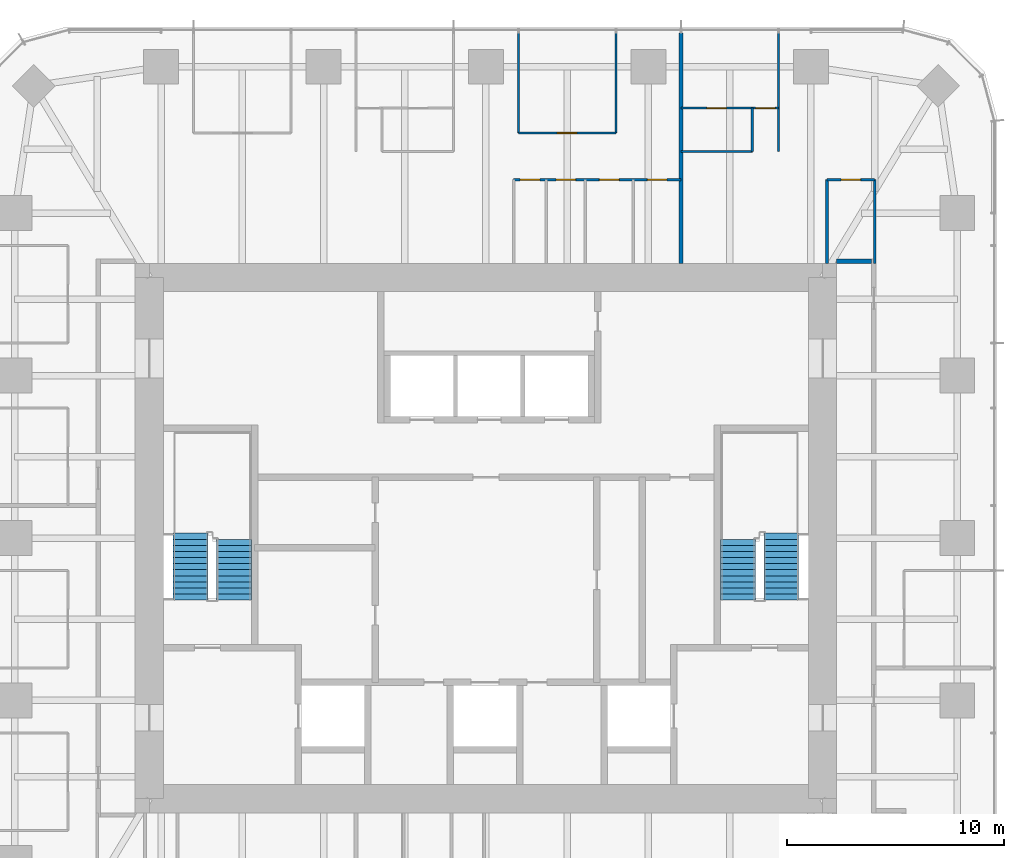
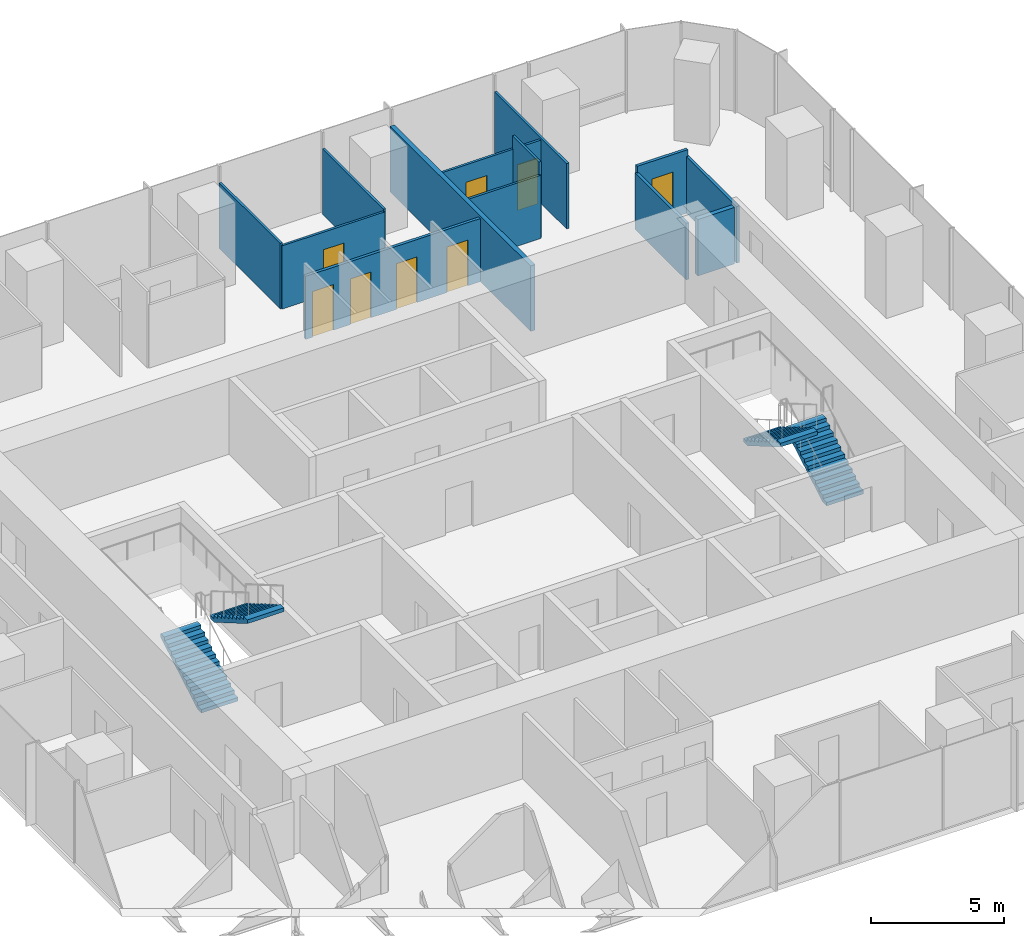
# One storey, part 11 of 12: 13 walls, 8 doors, 4 stair flights, 8 openings, 2 elements without a shape of their own.
"""IFC4 building model written with IfcOpenShell, lengths in metres."""

from ifc_helpers import new_model, si_unit, direction, frame, frame_2d, origin, place, context, subcontext, project, spatial, polyline, rectangle, outline, extrude, material, layer, layer_set, type_object, element, fill, aggregate, save


model = new_model("IFC4")

# Units and contexts
model_context = context("Model", 3, precision=1e-05, world=origin(), true_north=direction((0.0, 1.0)))
body_context = subcontext(model_context, "Body", "Model", "MODEL_VIEW")
ifc_project = project(units=[si_unit("LENGTHUNIT", "METRE"), si_unit("AREAUNIT", "SQUARE_METRE"), si_unit("VOLUMEUNIT", "CUBIC_METRE"), si_unit("PLANEANGLEUNIT", "RADIAN"), si_unit("MASSUNIT", "GRAM", prefix="KILO")], contexts=[model_context])

# Site, building, storey
site_placement = place(None, origin())
site = spatial("IfcSite", under=ifc_project, at=site_placement, CompositionType="ELEMENT")
building_placement = place(site_placement, origin())
building = spatial("IfcBuilding", under=site, at=building_placement, Name="Khuree Lantern Residences", CompositionType="ELEMENT")
storey_placement = place(building_placement, frame((0.0, 0.0, 315.75)))
storey = spatial("IfcBuildingStorey", under=building, at=storey_placement, Name="L79", CompositionType="ELEMENT", Elevation=315.75)

# Wall, opening, door
ifc_material_1 = material(Name="Moisture-resistant gypsum board on steel studs", Category="steel")
ifc_layer_1 = layer(ifc_material_1, 0.125)
ifc_layer_set_1 = layer_set([ifc_layer_1], Name="BATHROOM WALL BTW125")
wall_type_1 = type_object("IfcWallType", Name="BATHROOM WALL BTW125", PredefinedType="PARTITIONING", material=ifc_layer_set_1)
wall_1_placement = place(storey_placement, frame((17.89990234375, 16.496337890625, 0.0), z_axis=(0.0, 0.0, 1.0), x_axis=(-1.0, 0.0, 0.0)))
wall_1 = element("IfcWall", 1, at=wall_1_placement, inside=storey, type_object=wall_type_1, Name="L79 BATHROOM WALL 01", PredefinedType="PARTITIONING", context=body_context, shape_type="SweptSolid", body=[
    extrude(rectangle(XDim=2.199951171875, YDim=0.125, at=frame_2d((1.10009765625, 0.0))), origin(), (0.0, 0.0, 1.0), 2.909912109375),
])
opening_1_placement = place(wall_1_placement, frame((0.64990234375, 0.0, 0.0)))
opening_1 = element("IfcOpeningElement", 2, at=opening_1_placement, cuts=wall_1, Name="Opening 79-024", PredefinedType="OPENING", context=body_context, shape_type="SweptSolid", body=[
    extrude(rectangle(XDim=0.89990234375, YDim=2.10009765625, at=frame_2d((0.449951171875, 1.050048828125))), frame((0.0, 0.072509765625, 0.0), z_axis=(0.0, -1.0, 0.0), x_axis=(1.0, 0.0, 0.0)), (0.0, 0.0, 1.0), 0.14501953125),
])
ifc_material_2 = material(Name="Timber door leaf in hardwood frame", Category="wood")
door_type_1 = type_object("IfcDoorType", Name="BATHROOM DOOR 900X2100", OperationType="SINGLE_SWING_LEFT", PredefinedType="DOOR", material=ifc_material_2)
door_1_placement = place(opening_1_placement, origin())
door_1 = element("IfcDoor", 3, at=door_1_placement, inside=storey, type_object=door_type_1, Name="Bathroom door 79-024", OperationType="SINGLE_SWING_LEFT", OverallHeight=2.10009765625, OverallWidth=0.89990234375, PredefinedType="DOOR", context=body_context, shape_type="SweptSolid", body=[
    extrude(rectangle(XDim=0.89990234375, YDim=2.10009765625, at=frame_2d((0.449951171875, 1.050048828125))), frame((0.0, 0.02490234375, 0.0), z_axis=(0.0, -1.0, 0.0), x_axis=(1.0, 0.0, 0.0)), (0.0, 0.0, 1.0), 0.050048828125),
])
fill(opening_1, door_1)

# Walls
for number, where, z_axis, x_axis, name in (
    (4, (17.89990234375, 12.64990234375, 0.0), (0.0, 0.0, 1.0), (0.0, 1.0, 0.0), "L79 BATHROOM WALL 01"),
    (5, (15.699951171875, 12.64990234375, 0.0), (0.0, 0.0, 1.0), (0.0, 1.0, 0.0), "L79 BATHROOM WALL 01"),
):
    element("IfcWall", number, at=place(storey_placement, frame(where, z_axis=z_axis, x_axis=x_axis)), inside=storey, type_object=wall_type_1, Name=name, PredefinedType="PARTITIONING", context=body_context, shape_type="SweptSolid", body=[
        extrude(rectangle(XDim=3.846435546875, YDim=0.125, at=frame_2d((1.92333984375, 0.0))), origin(), (0.0, 0.0, 1.0), 2.60009765625),
    ])

# Wall, openings, doors
wall_2_placement = place(storey_placement, frame((8.97607421875, 16.496337890625, 0.0), z_axis=(0.0, 0.0, 1.0), x_axis=(-1.0, 0.0, 0.0)))
wall_2 = element("IfcWall", 6, at=wall_2_placement, inside=storey, type_object=wall_type_1, Name="L79 BATHROOM WALL 02", PredefinedType="PARTITIONING", context=body_context, shape_type="SweptSolid", body=[
    extrude(rectangle(XDim=7.7001953125, YDim=0.125, at=frame_2d((3.85009765625, 0.0))), origin(), (0.0, 0.0, 1.0), 2.89990234375),
])
opening_2_placement = place(wall_2_placement, frame((0.64990234375, 0.0, 0.0)))
opening_2 = element("IfcOpeningElement", 7, at=opening_2_placement, cuts=wall_2, Name="Opening 79-032", PredefinedType="OPENING", context=body_context, shape_type="SweptSolid", body=[
    extrude(rectangle(XDim=0.89990234375, YDim=2.10009765625, at=frame_2d((0.449951171875, 1.050048828125))), frame((0.0, 0.072509765625, 0.0), z_axis=(0.0, -1.0, 0.0), x_axis=(1.0, 0.0, 0.0)), (0.0, 0.0, 1.0), 0.14501953125),
])
opening_3_placement = place(wall_2_placement, frame((2.85009765625, 0.0, 0.0)))
opening_3 = element("IfcOpeningElement", 8, at=opening_3_placement, cuts=wall_2, Name="Opening 79-033", PredefinedType="OPENING", context=body_context, shape_type="SweptSolid", body=[
    extrude(rectangle(XDim=0.89990234375, YDim=2.10009765625, at=frame_2d((0.449951171875, 1.050048828125))), frame((0.0, 0.072509765625, 0.0), z_axis=(0.0, -1.0, 0.0), x_axis=(1.0, 0.0, 0.0)), (0.0, 0.0, 1.0), 0.14501953125),
])
opening_4_placement = place(wall_2_placement, frame((4.85009765625, 0.0, 0.0)))
opening_4 = element("IfcOpeningElement", 9, at=opening_4_placement, cuts=wall_2, Name="Opening 79-034", PredefinedType="OPENING", context=body_context, shape_type="SweptSolid", body=[
    extrude(rectangle(XDim=0.89990234375, YDim=2.10009765625, at=frame_2d((0.449951171875, 1.050048828125))), frame((0.0, 0.072509765625, 0.0), z_axis=(0.0, -1.0, 0.0), x_axis=(1.0, 0.0, 0.0)), (0.0, 0.0, 1.0), 0.14501953125),
])
opening_5_placement = place(wall_2_placement, frame((6.5, 0.0, 0.0)))
opening_5 = element("IfcOpeningElement", 10, at=opening_5_placement, cuts=wall_2, Name="Opening 79-035", PredefinedType="OPENING", context=body_context, shape_type="SweptSolid", body=[
    extrude(rectangle(XDim=0.89990234375, YDim=2.10009765625, at=frame_2d((0.449951171875, 1.050048828125))), frame((0.0, 0.072509765625, 0.0), z_axis=(0.0, -1.0, 0.0), x_axis=(1.0, 0.0, 0.0)), (0.0, 0.0, 1.0), 0.14501953125),
])
door_2_placement = place(opening_2_placement, origin())
door_2 = element("IfcDoor", 11, at=door_2_placement, inside=storey, type_object=door_type_1, Name="Bathroom door 79-032", OperationType="SINGLE_SWING_LEFT", OverallHeight=2.10009765625, OverallWidth=0.89990234375, PredefinedType="DOOR", context=body_context, shape_type="SweptSolid", body=[
    extrude(rectangle(XDim=0.89990234375, YDim=2.10009765625, at=frame_2d((0.449951171875, 1.050048828125))), frame((0.0, 0.02490234375, 0.0), z_axis=(0.0, -1.0, 0.0), x_axis=(1.0, 0.0, 0.0)), (0.0, 0.0, 1.0), 0.050048828125),
])
fill(opening_2, door_2)
door_3_placement = place(opening_3_placement, origin())
door_3 = element("IfcDoor", 12, at=door_3_placement, inside=storey, type_object=door_type_1, Name="Bathroom door 79-033", OperationType="SINGLE_SWING_LEFT", OverallHeight=2.10009765625, OverallWidth=0.89990234375, PredefinedType="DOOR", context=body_context, shape_type="SweptSolid", body=[
    extrude(rectangle(XDim=0.89990234375, YDim=2.10009765625, at=frame_2d((0.449951171875, 1.050048828125))), frame((0.0, 0.02490234375, 0.0), z_axis=(0.0, -1.0, 0.0), x_axis=(1.0, 0.0, 0.0)), (0.0, 0.0, 1.0), 0.050048828125),
])
fill(opening_3, door_3)
door_type_2 = type_object("IfcDoorType", Name="DOOR 900X2100", OperationType="SINGLE_SWING_LEFT", PredefinedType="DOOR", material=ifc_material_2)
door_4_placement = place(opening_4_placement, origin())
door_4 = element("IfcDoor", 13, at=door_4_placement, inside=storey, type_object=door_type_2, Name="Store door 79-034", OperationType="SINGLE_SWING_LEFT", OverallHeight=2.10009765625, OverallWidth=0.89990234375, PredefinedType="DOOR", context=body_context, shape_type="SweptSolid", body=[
    extrude(rectangle(XDim=0.89990234375, YDim=2.10009765625, at=frame_2d((0.449951171875, 1.050048828125))), frame((0.0, 0.02490234375, 0.0), z_axis=(0.0, -1.0, 0.0), x_axis=(1.0, 0.0, 0.0)), (0.0, 0.0, 1.0), 0.050048828125),
])
fill(opening_4, door_4)
door_type_3 = type_object("IfcDoorType", Name="WC DOOR 900X2100", OperationType="SINGLE_SWING_LEFT", PredefinedType="DOOR", material=ifc_material_2)
door_5_placement = place(opening_5_placement, origin())
door_5 = element("IfcDoor", 14, at=door_5_placement, inside=storey, type_object=door_type_3, Name="WC door 79-035", OperationType="SINGLE_SWING_LEFT", OverallHeight=2.10009765625, OverallWidth=0.89990234375, PredefinedType="DOOR", context=body_context, shape_type="SweptSolid", body=[
    extrude(rectangle(XDim=0.89990234375, YDim=2.10009765625, at=frame_2d((0.449951171875, 1.050048828125))), frame((0.0, 0.02490234375, 0.0), z_axis=(0.0, -1.0, 0.0), x_axis=(1.0, 0.0, 0.0)), (0.0, 0.0, 1.0), 0.050048828125),
])
fill(opening_5, door_5)

# Walls
ifc_material_3 = material(Name="Gypsum board on steel studs", Category="steel")
ifc_layer_2 = layer(ifc_material_3, 0.199951171875)
ifc_layer_set_2 = layer_set([ifc_layer_2], Name="CORRIDOR WALL CRW200 EI 60")
wall_type_2 = type_object("IfcWallType", Name="CORRIDOR WALL CRW200 EI 60", PredefinedType="PARTITIONING", material=ifc_layer_set_2)
wall_3_placement = place(storey_placement, frame((16.14990234375, 12.75, 0.0), z_axis=(0.0, 0.0, 1.0), x_axis=(1.0, 0.0, 0.0)))
element("IfcWall", 15, at=wall_3_placement, inside=storey, type_object=wall_type_2, Name="L79 EAST CORRIDOR NORTH END WALL", PredefinedType="PARTITIONING", context=body_context, shape_type="SweptSolid", body=[
    extrude(rectangle(XDim=1.60009765625, YDim=0.199951171875, at=frame_2d((0.800048828125, 0.0))), origin(), (0.0, 0.0, 1.0), 2.60009765625),
])
ifc_layer_3 = layer(ifc_material_3, 0.199951171875)
ifc_layer_set_3 = layer_set([ifc_layer_3], Name="DEMISING WALL DMW200 EI 90")
wall_type_3 = type_object("IfcWallType", Name="DEMISING WALL DMW200 EI 90", PredefinedType="PARTITIONING", material=ifc_layer_set_3)
wall_4_placement = place(storey_placement, frame((8.97607421875, 12.64990234375, 0.0), z_axis=(0.0, 0.0, 1.0), x_axis=(0.0, 1.0, 0.0)))
element("IfcWall", 16, at=wall_4_placement, inside=storey, type_object=wall_type_3, Name="L79 DEMISING WALL 02", PredefinedType="PARTITIONING", context=body_context, shape_type="SweptSolid", body=[
    extrude(rectangle(XDim=10.60009765625, YDim=0.199951171875, at=frame_2d((5.300048828125, 0.0))), origin(), (0.0, 0.0, 1.0), 3.010009765625),
])
ifc_layer_4 = layer(ifc_material_3, 0.10009765625)
ifc_layer_set_4 = layer_set([ifc_layer_4], Name="PARTITION PT100")
wall_type_4 = type_object("IfcWallType", Name="PARTITION PT100", PredefinedType="PARTITIONING", material=ifc_layer_set_4)
wall_5_placement = place(storey_placement, frame((13.464111328125, 17.79638671875, 0.0), z_axis=(0.0, 0.0, 1.0), x_axis=(0.0, 1.0, 0.0)))
element("IfcWall", 17, at=wall_5_placement, inside=storey, type_object=wall_type_4, Name="L79 PARTITION 01", PredefinedType="PARTITIONING", context=body_context, shape_type="SweptSolid", body=[
    extrude(rectangle(XDim=5.45361328125, YDim=0.10009765625, at=frame_2d((2.726806640625, 0.0))), origin(), (0.0, 0.0, 1.0), 3.010009765625),
])
for number, where, z_axis, x_axis, name in (
    (18, (5.98388671875, 18.64990234375, 0.0), (0.0, 0.0, 1.0), (0.0, 1.0, 0.0), "L79 PARTITION 02"),
    (19, (1.49609375, 18.64990234375, 0.0), (0.0, 0.0, 1.0), (0.0, 1.0, 0.0), "L79 PARTITION 02"),
):
    element("IfcWall", number, at=place(storey_placement, frame(where, z_axis=z_axis, x_axis=x_axis)), inside=storey, type_object=wall_type_4, Name=name, PredefinedType="PARTITIONING", context=body_context, shape_type="SweptSolid", body=[
        extrude(rectangle(XDim=4.60009765625, YDim=0.10009765625, at=frame_2d((2.300048828125, 0.0))), origin(), (0.0, 0.0, 1.0), 3.010009765625),
    ])

# Wall, openings, doors
wall_6_placement = place(storey_placement, frame((13.464111328125, 19.79638671875, 0.0), z_axis=(0.0, 0.0, 1.0), x_axis=(-1.0, 0.0, 0.0)))
wall_6 = element("IfcWall", 20, at=wall_6_placement, inside=storey, type_object=wall_type_4, Name="L79 PARTITION 01", PredefinedType="PARTITIONING", context=body_context, shape_type="SweptSolid", body=[
    extrude(rectangle(XDim=4.488037109375, YDim=0.10009765625, at=frame_2d((2.244140625, 0.0))), origin(), (0.0, 0.0, 1.0), 2.909912109375),
])
opening_6_placement = place(wall_6_placement, frame((0.14990234375, 0.0, 0.0)))
opening_6 = element("IfcOpeningElement", 21, at=opening_6_placement, cuts=wall_6, Name="Opening 79-022", PredefinedType="OPENING", context=body_context, shape_type="SweptSolid", body=[
    extrude(rectangle(XDim=0.89990234375, YDim=2.10009765625, at=frame_2d((0.449951171875, 1.050048828125))), frame((0.0, 0.06005859375, 0.0), z_axis=(0.0, -1.0, 0.0), x_axis=(1.0, 0.0, 0.0)), (0.0, 0.0, 1.0), 0.1201171875),
])
opening_7_placement = place(wall_6_placement, frame((2.39404296875, 0.0, 0.0)))
opening_7 = element("IfcOpeningElement", 22, at=opening_7_placement, cuts=wall_6, Name="Opening 79-023", PredefinedType="OPENING", context=body_context, shape_type="SweptSolid", body=[
    extrude(rectangle(XDim=0.89990234375, YDim=2.10009765625, at=frame_2d((0.449951171875, 1.050048828125))), frame((0.0, 0.06005859375, 0.0), z_axis=(0.0, -1.0, 0.0), x_axis=(1.0, 0.0, 0.0)), (0.0, 0.0, 1.0), 0.1201171875),
])
door_type_4 = type_object("IfcDoorType", Name="BEDROOM DOOR 900X2100", OperationType="SINGLE_SWING_LEFT", PredefinedType="DOOR", material=ifc_material_2)
door_6_placement = place(opening_6_placement, origin())
door_6 = element("IfcDoor", 23, at=door_6_placement, inside=storey, type_object=door_type_4, Name="Bedroom door 79-022", OperationType="SINGLE_SWING_LEFT", OverallHeight=2.10009765625, OverallWidth=0.89990234375, PredefinedType="DOOR", context=body_context, shape_type="SweptSolid", body=[
    extrude(rectangle(XDim=0.89990234375, YDim=2.10009765625, at=frame_2d((0.449951171875, 1.050048828125))), frame((0.0, 0.02490234375, 0.0), z_axis=(0.0, -1.0, 0.0), x_axis=(1.0, 0.0, 0.0)), (0.0, 0.0, 1.0), 0.050048828125),
])
fill(opening_6, door_6)
door_type_5 = type_object("IfcDoorType", Name="DOOR 900X2100 RIGHT HAND", OperationType="SINGLE_SWING_RIGHT", PredefinedType="DOOR", material=ifc_material_2)
door_7_placement = place(opening_7_placement, origin())
door_7 = element("IfcDoor", 24, at=door_7_placement, inside=storey, type_object=door_type_5, Name="Wardrobe door 79-023", OperationType="SINGLE_SWING_RIGHT", OverallHeight=2.10009765625, OverallWidth=0.89990234375, PredefinedType="DOOR", context=body_context, shape_type="SweptSolid", body=[
    extrude(rectangle(XDim=0.89990234375, YDim=2.10009765625, at=frame_2d((0.449951171875, 1.050048828125))), frame((0.0, 0.02490234375, 0.0), z_axis=(0.0, -1.0, 0.0), x_axis=(1.0, 0.0, 0.0)), (0.0, 0.0, 1.0), 0.050048828125),
])
fill(opening_7, door_7)

# Walls
wall_7_placement = place(storey_placement, frame((12.263916015625, 17.79638671875, 0.0), z_axis=(0.0, 0.0, 1.0), x_axis=(0.0, 1.0, 0.0)))
element("IfcWall", 25, at=wall_7_placement, inside=storey, type_object=wall_type_4, Name="L79 PARTITION 01", PredefinedType="PARTITIONING", context=body_context, shape_type="SweptSolid", body=[
    extrude(rectangle(XDim=2.0, YDim=0.10009765625, at=frame_2d((1.0, 0.0))), origin(), (0.0, 0.0, 1.0), 3.5),
])
wall_8_placement = place(storey_placement, frame((12.263916015625, 17.79638671875, 0.0), z_axis=(0.0, 0.0, 1.0), x_axis=(-1.0, 0.0, 0.0)))
element("IfcWall", 26, at=wall_8_placement, inside=storey, type_object=wall_type_4, Name="L79 PARTITION 01", PredefinedType="PARTITIONING", context=body_context, shape_type="SweptSolid", body=[
    extrude(rectangle(XDim=3.287841796875, YDim=0.10009765625, at=frame_2d((1.64404296875, 0.0))), origin(), (0.0, 0.0, 1.0), 2.909912109375),
])

# Wall, opening, door
wall_9_placement = place(storey_placement, frame((5.98388671875, 18.64990234375, 0.0), z_axis=(0.0, 0.0, 1.0), x_axis=(-1.0, 0.0, 0.0)))
wall_9 = element("IfcWall", 27, at=wall_9_placement, inside=storey, type_object=wall_type_4, Name="L79 PARTITION 02", PredefinedType="PARTITIONING", context=body_context, shape_type="SweptSolid", body=[
    extrude(rectangle(XDim=4.48779296875, YDim=0.10009765625, at=frame_2d((2.243896484375, 0.0))), origin(), (0.0, 0.0, 1.0), 2.909912109375),
])
opening_8_placement = place(wall_9_placement, frame((1.7939453125, 0.0, 0.0)))
opening_8 = element("IfcOpeningElement", 28, at=opening_8_placement, cuts=wall_9, Name="Opening 79-026", PredefinedType="OPENING", context=body_context, shape_type="SweptSolid", body=[
    extrude(rectangle(XDim=0.89990234375, YDim=2.10009765625, at=frame_2d((0.449951171875, 1.050048828125))), frame((0.0, 0.06005859375, 0.0), z_axis=(0.0, -1.0, 0.0), x_axis=(1.0, 0.0, 0.0)), (0.0, 0.0, 1.0), 0.1201171875),
])
door_8_placement = place(opening_8_placement, origin())
door_8 = element("IfcDoor", 29, at=door_8_placement, inside=storey, type_object=door_type_4, Name="Bedroom door 79-026", OperationType="SINGLE_SWING_LEFT", OverallHeight=2.10009765625, OverallWidth=0.89990234375, PredefinedType="DOOR", context=body_context, shape_type="SweptSolid", body=[
    extrude(rectangle(XDim=0.89990234375, YDim=2.10009765625, at=frame_2d((0.449951171875, 1.050048828125))), frame((0.0, 0.02490234375, 0.0), z_axis=(0.0, -1.0, 0.0), x_axis=(1.0, 0.0, 0.0)), (0.0, 0.0, 1.0), 0.050048828125),
])
fill(opening_8, door_8)

# Stair, stair flights
ifc_material_4 = material(Name="Concrete C40/50", Category="concrete")
stair_type = type_object("IfcStairType", Name="STAIR ST1 HALF TURN 3600", PredefinedType="HALF_TURN_STAIR", material=ifc_material_4)
stair_1_placement = place(storey_placement, origin())
stair_1 = element("IfcStair", 30, at=stair_1_placement, inside=storey, type_object=stair_type, Name="Stair ST1", PredefinedType="HALF_TURN_STAIR")
stair_flight_type = type_object("IfcStairFlightType", Name="STAIR FLIGHT SF1 1600", PredefinedType="STRAIGHT", material=ifc_material_4)
stair_flight_1_placement = place(storey_placement, frame((-13.60009765625, -2.860107421875, 0.0), z_axis=(0.0, 0.0, 1.0), x_axis=(0.0, 1.0, 0.0)))
stair_flight_1 = element("IfcStairFlight", 31, at=stair_flight_1_placement, type_object=stair_flight_type, Name="ST1 flight 1", NumberOfRisers=12, NumberOfTreads=11, PredefinedType="STRAIGHT", RiserHeight=0.163043478, TreadLength=0.28, context=body_context, shape_type="SweptSolid", body=[
    extrude(outline(polyline([(0.0, 0.0), (0.0, 0.1630859375), (0.280029296875, 0.1630859375), (0.280029296875, 0.326171875), (0.56005859375, 0.326171875), (0.56005859375, 0.489013671875), (0.840087890625, 0.489013671875), (0.840087890625, 0.652099609375), (1.1201171875, 0.652099609375), (1.1201171875, 0.815185546875), (1.39990234375, 0.815185546875), (1.39990234375, 0.978271484375), (1.679931640625, 0.978271484375), (1.679931640625, 1.141357421875), (1.9599609375, 1.141357421875), (1.9599609375, 1.304443359375), (2.239990234375, 1.304443359375), (2.239990234375, 1.46728515625), (2.52001953125, 1.46728515625), (2.52001953125, 1.63037109375), (2.800048828125, 1.63037109375), (2.800048828125, 1.79345703125), (3.080078125, 1.79345703125), (3.080078125, 1.95654296875), (3.080078125, 1.6201171875), (0.2978515625, 0.0), (0.0, 0.0)])), frame((0.0, 0.800048828125, 0.0), z_axis=(0.0, -1.0, 0.0), x_axis=(1.0, 0.0, 0.0)), (0.0, 0.0, 1.0), 1.60009765625),
])
stair_flight_2_placement = place(storey_placement, frame((-11.60009765625, -0.06005859375, 1.95654296875), z_axis=(0.0, 0.0, 1.0), x_axis=(0.0, -1.0, 0.0)))
stair_flight_2 = element("IfcStairFlight", 32, at=stair_flight_2_placement, type_object=stair_flight_type, Name="ST1 flight 2", NumberOfRisers=11, NumberOfTreads=10, PredefinedType="STRAIGHT", RiserHeight=0.163043478, TreadLength=0.28, context=body_context, shape_type="SweptSolid", body=[
    extrude(outline(polyline([(0.0, 0.0), (0.0, 0.1630859375), (0.280029296875, 0.1630859375), (0.280029296875, 0.326171875), (0.56005859375, 0.326171875), (0.56005859375, 0.489013671875), (0.840087890625, 0.489013671875), (0.840087890625, 0.652099609375), (1.1201171875, 0.652099609375), (1.1201171875, 0.815185546875), (1.39990234375, 0.815185546875), (1.39990234375, 0.978271484375), (1.679931640625, 0.978271484375), (1.679931640625, 1.141357421875), (1.9599609375, 1.141357421875), (1.9599609375, 1.304443359375), (2.239990234375, 1.304443359375), (2.239990234375, 1.46728515625), (2.52001953125, 1.46728515625), (2.52001953125, 1.63037109375), (2.800048828125, 1.63037109375), (2.800048828125, 1.79345703125), (2.800048828125, 1.45703125), (0.2978515625, 0.0), (0.0, 0.0)])), frame((0.0, 0.800048828125, 0.0), z_axis=(0.0, -1.0, 0.0), x_axis=(1.0, 0.0, 0.0)), (0.0, 0.0, 1.0), 1.60009765625),
])
aggregate(stair_1, [stair_flight_1, stair_flight_2])

stair_2_placement = place(storey_placement, origin())
stair_2 = element("IfcStair", 33, at=stair_2_placement, inside=storey, type_object=stair_type, Name="Stair ST2", PredefinedType="HALF_TURN_STAIR")
stair_flight_3_placement = place(storey_placement, frame((13.60009765625, -2.860107421875, 0.0), z_axis=(0.0, 0.0, 1.0), x_axis=(0.0, 1.0, 0.0)))
stair_flight_3 = element("IfcStairFlight", 34, at=stair_flight_3_placement, type_object=stair_flight_type, Name="ST2 flight 1", NumberOfRisers=12, NumberOfTreads=11, PredefinedType="STRAIGHT", RiserHeight=0.163043478, TreadLength=0.28, context=body_context, shape_type="SweptSolid", body=[
    extrude(outline(polyline([(0.0, 0.0), (0.0, 0.1630859375), (0.280029296875, 0.1630859375), (0.280029296875, 0.326171875), (0.56005859375, 0.326171875), (0.56005859375, 0.489013671875), (0.840087890625, 0.489013671875), (0.840087890625, 0.652099609375), (1.1201171875, 0.652099609375), (1.1201171875, 0.815185546875), (1.39990234375, 0.815185546875), (1.39990234375, 0.978271484375), (1.679931640625, 0.978271484375), (1.679931640625, 1.141357421875), (1.9599609375, 1.141357421875), (1.9599609375, 1.304443359375), (2.239990234375, 1.304443359375), (2.239990234375, 1.46728515625), (2.52001953125, 1.46728515625), (2.52001953125, 1.63037109375), (2.800048828125, 1.63037109375), (2.800048828125, 1.79345703125), (3.080078125, 1.79345703125), (3.080078125, 1.95654296875), (3.080078125, 1.6201171875), (0.2978515625, 0.0), (0.0, 0.0)])), frame((0.0, 0.800048828125, 0.0), z_axis=(0.0, -1.0, 0.0), x_axis=(1.0, 0.0, 0.0)), (0.0, 0.0, 1.0), 1.60009765625),
])
stair_flight_4_placement = place(storey_placement, frame((11.60009765625, -0.06005859375, 1.95654296875), z_axis=(0.0, 0.0, 1.0), x_axis=(0.0, -1.0, 0.0)))
stair_flight_4 = element("IfcStairFlight", 35, at=stair_flight_4_placement, type_object=stair_flight_type, Name="ST2 flight 2", NumberOfRisers=11, NumberOfTreads=10, PredefinedType="STRAIGHT", RiserHeight=0.163043478, TreadLength=0.28, context=body_context, shape_type="SweptSolid", body=[
    extrude(outline(polyline([(0.0, 0.0), (0.0, 0.1630859375), (0.280029296875, 0.1630859375), (0.280029296875, 0.326171875), (0.56005859375, 0.326171875), (0.56005859375, 0.489013671875), (0.840087890625, 0.489013671875), (0.840087890625, 0.652099609375), (1.1201171875, 0.652099609375), (1.1201171875, 0.815185546875), (1.39990234375, 0.815185546875), (1.39990234375, 0.978271484375), (1.679931640625, 0.978271484375), (1.679931640625, 1.141357421875), (1.9599609375, 1.141357421875), (1.9599609375, 1.304443359375), (2.239990234375, 1.304443359375), (2.239990234375, 1.46728515625), (2.52001953125, 1.46728515625), (2.52001953125, 1.63037109375), (2.800048828125, 1.63037109375), (2.800048828125, 1.79345703125), (2.800048828125, 1.45703125), (0.2978515625, 0.0), (0.0, 0.0)])), frame((0.0, 0.800048828125, 0.0), z_axis=(0.0, -1.0, 0.0), x_axis=(1.0, 0.0, 0.0)), (0.0, 0.0, 1.0), 1.60009765625),
])
aggregate(stair_2, [stair_flight_3, stair_flight_4])

save(model, "model.ifc")
